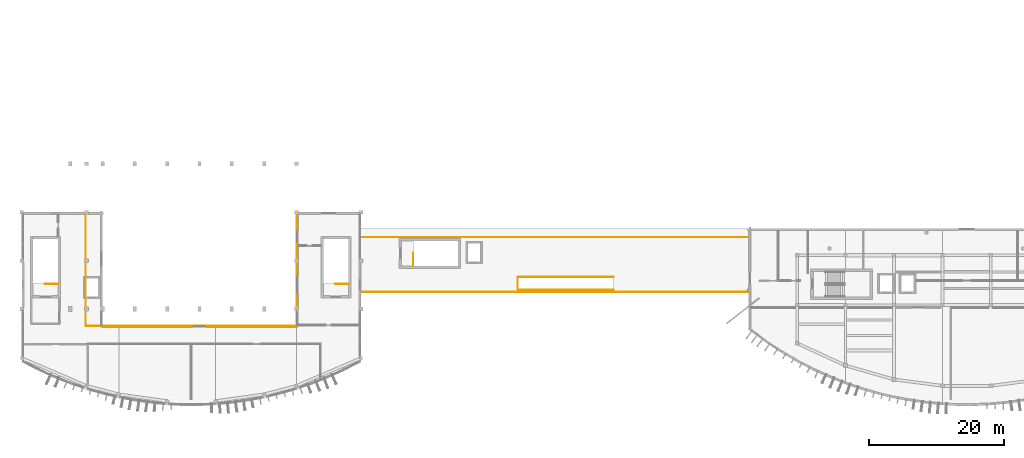
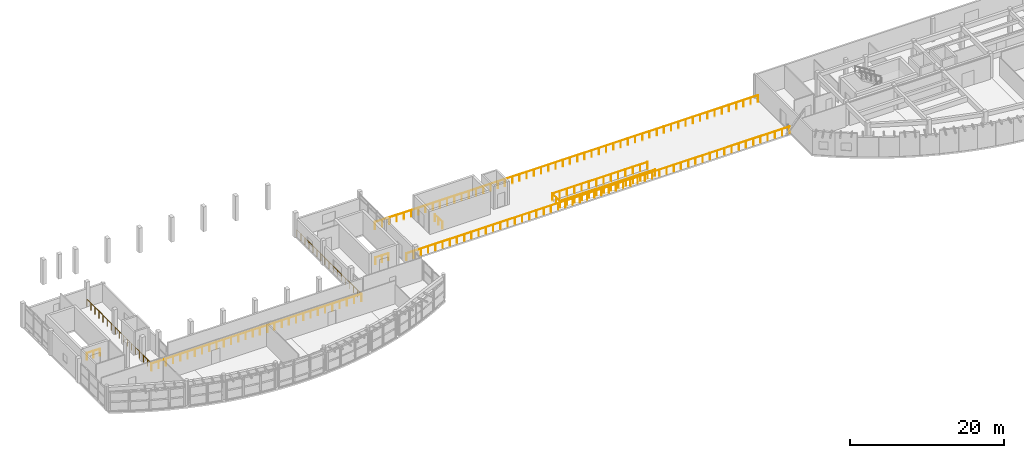
# One storey, part 29 of 32: 10 railings.
"""IFC4 building model written with IfcOpenShell, lengths in metres."""

from ifc_helpers import new_model, si_unit, direction, frame, origin, origin_2d, place, context, subcontext, project, spatial, circle, extrude, material, type_object, element, save


model = new_model("IFC4")

# Units and contexts
model_context = context("Model", 3, precision=1e-05, world=origin(), true_north=direction((0.0, 1.0)))
body_context = subcontext(model_context, "Body", "Model", "MODEL_VIEW")
ifc_project = project(units=[si_unit("LENGTHUNIT", "METRE"), si_unit("AREAUNIT", "SQUARE_METRE"), si_unit("VOLUMEUNIT", "CUBIC_METRE"), si_unit("PLANEANGLEUNIT", "RADIAN"), si_unit("MASSUNIT", "GRAM", prefix="KILO")], contexts=[model_context])

# Site, building, storey
site_placement = place(None, origin())
site = spatial("IfcSite", under=ifc_project, at=site_placement, CompositionType="ELEMENT")
building_placement = place(site_placement, origin())
building = spatial("IfcBuilding", under=site, at=building_placement, Name="Brisavento Harbour Community Centre", CompositionType="ELEMENT")
storey_placement = place(building_placement, frame((0.0, 0.0, 12.89990234375)))
storey = spatial("IfcBuildingStorey", under=building, at=storey_placement, Name="L03", CompositionType="ELEMENT", Elevation=12.89990234375)

# Railings
ifc_material = material(Name="Stainless steel 1.4401", Category="steel")
railing_type_1 = type_object("IfcRailingType", Name="RL-ATR-BAL", PredefinedType="BALUSTRADE", material=ifc_material)
railing_1_placement = place(storey_placement, frame((9.5, 11.89990234375, 0.0)))
element("IfcRailing", 1, at=railing_1_placement, inside=storey, type_object=railing_type_1, Name="L03 atrium and gallery balustrade BAL-V1-UP-S", PredefinedType="BALUSTRADE", context=body_context, shape_type="SweptSolid", body=[
    extrude(circle(Radius=0.02392578125, at=origin_2d()), frame((0.0, 0.0, 1.09619140625), z_axis=(1.0, 0.0, 0.0), x_axis=(0.0, 1.0, 0.0)), (0.0, 0.0, 1.0), 31.39990234375),
    extrude(circle(Radius=0.02099609375, at=origin_2d()), origin(), (0.0, 0.0, 1.0), 1.072021484375),
    extrude(circle(Radius=0.02099609375, at=origin_2d()), frame((1.082763671875, 0.0, 0.0)), (0.0, 0.0, 1.0), 1.072021484375),
    extrude(circle(Radius=0.02099609375, at=origin_2d()), frame((2.16552734375, 0.0, 0.0)), (0.0, 0.0, 1.0), 1.072021484375),
    extrude(circle(Radius=0.02099609375, at=origin_2d()), frame((3.248291015625, 0.0, 0.0)), (0.0, 0.0, 1.0), 1.072021484375),
    extrude(circle(Radius=0.02099609375, at=origin_2d()), frame((4.3310546875, 0.0, 0.0)), (0.0, 0.0, 1.0), 1.072021484375),
    extrude(circle(Radius=0.02099609375, at=origin_2d()), frame((5.413818359375, 0.0, 0.0)), (0.0, 0.0, 1.0), 1.072021484375),
    extrude(circle(Radius=0.02099609375, at=origin_2d()), frame((6.49658203125, 0.0, 0.0)), (0.0, 0.0, 1.0), 1.072021484375),
    extrude(circle(Radius=0.02099609375, at=origin_2d()), frame((7.579345703125, 0.0, 0.0)), (0.0, 0.0, 1.0), 1.072021484375),
    extrude(circle(Radius=0.02099609375, at=origin_2d()), frame((8.662109375, 0.0, 0.0)), (0.0, 0.0, 1.0), 1.072021484375),
    extrude(circle(Radius=0.02099609375, at=origin_2d()), frame((9.744873046875, 0.0, 0.0)), (0.0, 0.0, 1.0), 1.072021484375),
    extrude(circle(Radius=0.02099609375, at=origin_2d()), frame((10.82763671875, 0.0, 0.0)), (0.0, 0.0, 1.0), 1.072021484375),
    extrude(circle(Radius=0.02099609375, at=origin_2d()), frame((11.910400390625, 0.0, 0.0)), (0.0, 0.0, 1.0), 1.072021484375),
    extrude(circle(Radius=0.02099609375, at=origin_2d()), frame((12.9931640625, 0.0, 0.0)), (0.0, 0.0, 1.0), 1.072021484375),
    extrude(circle(Radius=0.02099609375, at=origin_2d()), frame((14.075927734375, 0.0, 0.0)), (0.0, 0.0, 1.0), 1.072021484375),
    extrude(circle(Radius=0.02099609375, at=origin_2d()), frame((15.15869140625, 0.0, 0.0)), (0.0, 0.0, 1.0), 1.072021484375),
    extrude(circle(Radius=0.02099609375, at=origin_2d()), frame((16.2412109375, 0.0, 0.0)), (0.0, 0.0, 1.0), 1.072021484375),
    extrude(circle(Radius=0.02099609375, at=origin_2d()), frame((17.323974609375, 0.0, 0.0)), (0.0, 0.0, 1.0), 1.072021484375),
    extrude(circle(Radius=0.02099609375, at=origin_2d()), frame((18.40673828125, 0.0, 0.0)), (0.0, 0.0, 1.0), 1.072021484375),
    extrude(circle(Radius=0.02099609375, at=origin_2d()), frame((19.489501953125, 0.0, 0.0)), (0.0, 0.0, 1.0), 1.072021484375),
    extrude(circle(Radius=0.02099609375, at=origin_2d()), frame((20.572265625, 0.0, 0.0)), (0.0, 0.0, 1.0), 1.072021484375),
    extrude(circle(Radius=0.02099609375, at=origin_2d()), frame((21.655029296875, 0.0, 0.0)), (0.0, 0.0, 1.0), 1.072021484375),
    extrude(circle(Radius=0.02099609375, at=origin_2d()), frame((22.73779296875, 0.0, 0.0)), (0.0, 0.0, 1.0), 1.072021484375),
    extrude(circle(Radius=0.02099609375, at=origin_2d()), frame((23.820556640625, 0.0, 0.0)), (0.0, 0.0, 1.0), 1.072021484375),
    extrude(circle(Radius=0.02099609375, at=origin_2d()), frame((24.9033203125, 0.0, 0.0)), (0.0, 0.0, 1.0), 1.072021484375),
    extrude(circle(Radius=0.02099609375, at=origin_2d()), frame((25.986083984375, 0.0, 0.0)), (0.0, 0.0, 1.0), 1.072021484375),
    extrude(circle(Radius=0.02099609375, at=origin_2d()), frame((27.06884765625, 0.0, 0.0)), (0.0, 0.0, 1.0), 1.072021484375),
    extrude(circle(Radius=0.02099609375, at=origin_2d()), frame((28.151611328125, 0.0, 0.0)), (0.0, 0.0, 1.0), 1.072021484375),
    extrude(circle(Radius=0.02099609375, at=origin_2d()), frame((29.234375, 0.0, 0.0)), (0.0, 0.0, 1.0), 1.072021484375),
    extrude(circle(Radius=0.02099609375, at=origin_2d()), frame((30.317138671875, 0.0, 0.0)), (0.0, 0.0, 1.0), 1.072021484375),
    extrude(circle(Radius=0.02099609375, at=origin_2d()), frame((31.39990234375, 0.0, 0.0)), (0.0, 0.0, 1.0), 1.072021484375),
])
railing_2_placement = place(storey_placement, frame((9.5, 11.89990234375, 0.0)))
element("IfcRailing", 2, at=railing_2_placement, inside=storey, type_object=railing_type_1, Name="L03 atrium and gallery balustrade BAL-V1-UP-W", PredefinedType="BALUSTRADE", context=body_context, shape_type="SweptSolid", body=[
    extrude(circle(Radius=0.02392578125, at=origin_2d()), frame((0.0, 0.0, 1.09619140625), z_axis=(0.0, 1.0, 0.0), x_axis=(-1.0, 0.0, 0.0)), (0.0, 0.0, 1.0), 16.75),
    extrude(circle(Radius=0.02099609375, at=origin_2d()), origin(), (0.0, 0.0, 1.0), 1.072021484375),
    extrude(circle(Radius=0.02099609375, at=origin_2d()), frame((0.0, 1.046875, 0.0)), (0.0, 0.0, 1.0), 1.072021484375),
    extrude(circle(Radius=0.02099609375, at=origin_2d()), frame((0.0, 2.09375, 0.0)), (0.0, 0.0, 1.0), 1.072021484375),
    extrude(circle(Radius=0.02099609375, at=origin_2d()), frame((0.0, 3.140625, 0.0)), (0.0, 0.0, 1.0), 1.072021484375),
    extrude(circle(Radius=0.02099609375, at=origin_2d()), frame((0.0, 4.1875, 0.0)), (0.0, 0.0, 1.0), 1.072021484375),
    extrude(circle(Radius=0.02099609375, at=origin_2d()), frame((0.0, 5.234375, 0.0)), (0.0, 0.0, 1.0), 1.072021484375),
    extrude(circle(Radius=0.02099609375, at=origin_2d()), frame((0.0, 6.28125, 0.0)), (0.0, 0.0, 1.0), 1.072021484375),
    extrude(circle(Radius=0.02099609375, at=origin_2d()), frame((0.0, 7.328125, 0.0)), (0.0, 0.0, 1.0), 1.072021484375),
    extrude(circle(Radius=0.02099609375, at=origin_2d()), frame((0.0, 8.375, 0.0)), (0.0, 0.0, 1.0), 1.072021484375),
    extrude(circle(Radius=0.02099609375, at=origin_2d()), frame((0.0, 9.421875, 0.0)), (0.0, 0.0, 1.0), 1.072021484375),
    extrude(circle(Radius=0.02099609375, at=origin_2d()), frame((0.0, 10.46875, 0.0)), (0.0, 0.0, 1.0), 1.072021484375),
    extrude(circle(Radius=0.02099609375, at=origin_2d()), frame((0.0, 11.515625, 0.0)), (0.0, 0.0, 1.0), 1.072021484375),
    extrude(circle(Radius=0.02099609375, at=origin_2d()), frame((0.0, 12.5625, 0.0)), (0.0, 0.0, 1.0), 1.072021484375),
    extrude(circle(Radius=0.02099609375, at=origin_2d()), frame((0.0, 13.609375, 0.0)), (0.0, 0.0, 1.0), 1.072021484375),
    extrude(circle(Radius=0.02099609375, at=origin_2d()), frame((0.0, 14.65625, 0.0)), (0.0, 0.0, 1.0), 1.072021484375),
    extrude(circle(Radius=0.02099609375, at=origin_2d()), frame((0.0, 15.703125, 0.0)), (0.0, 0.0, 1.0), 1.072021484375),
    extrude(circle(Radius=0.02099609375, at=origin_2d()), frame((0.0, 16.75, 0.0)), (0.0, 0.0, 1.0), 1.072021484375),
])
railing_3_placement = place(storey_placement, frame((40.89990234375, 11.89990234375, 0.0)))
element("IfcRailing", 3, at=railing_3_placement, inside=storey, type_object=railing_type_1, Name="L03 atrium and gallery balustrade BAL-V1-UP-E", PredefinedType="BALUSTRADE", context=body_context, shape_type="SweptSolid", body=[
    extrude(circle(Radius=0.02392578125, at=origin_2d()), frame((0.0, 0.0, 1.09619140625), z_axis=(0.0, 1.0, 0.0), x_axis=(-1.0, 0.0, 0.0)), (0.0, 0.0, 1.0), 16.75),
    extrude(circle(Radius=0.02099609375, at=origin_2d()), origin(), (0.0, 0.0, 1.0), 1.072021484375),
    extrude(circle(Radius=0.02099609375, at=origin_2d()), frame((0.0, 1.046875, 0.0)), (0.0, 0.0, 1.0), 1.072021484375),
    extrude(circle(Radius=0.02099609375, at=origin_2d()), frame((0.0, 2.09375, 0.0)), (0.0, 0.0, 1.0), 1.072021484375),
    extrude(circle(Radius=0.02099609375, at=origin_2d()), frame((0.0, 3.140625, 0.0)), (0.0, 0.0, 1.0), 1.072021484375),
    extrude(circle(Radius=0.02099609375, at=origin_2d()), frame((0.0, 4.1875, 0.0)), (0.0, 0.0, 1.0), 1.072021484375),
    extrude(circle(Radius=0.02099609375, at=origin_2d()), frame((0.0, 5.234375, 0.0)), (0.0, 0.0, 1.0), 1.072021484375),
    extrude(circle(Radius=0.02099609375, at=origin_2d()), frame((0.0, 6.28125, 0.0)), (0.0, 0.0, 1.0), 1.072021484375),
    extrude(circle(Radius=0.02099609375, at=origin_2d()), frame((0.0, 7.328125, 0.0)), (0.0, 0.0, 1.0), 1.072021484375),
    extrude(circle(Radius=0.02099609375, at=origin_2d()), frame((0.0, 8.375, 0.0)), (0.0, 0.0, 1.0), 1.072021484375),
    extrude(circle(Radius=0.02099609375, at=origin_2d()), frame((0.0, 9.421875, 0.0)), (0.0, 0.0, 1.0), 1.072021484375),
    extrude(circle(Radius=0.02099609375, at=origin_2d()), frame((0.0, 10.46875, 0.0)), (0.0, 0.0, 1.0), 1.072021484375),
    extrude(circle(Radius=0.02099609375, at=origin_2d()), frame((0.0, 11.515625, 0.0)), (0.0, 0.0, 1.0), 1.072021484375),
    extrude(circle(Radius=0.02099609375, at=origin_2d()), frame((0.0, 12.5625, 0.0)), (0.0, 0.0, 1.0), 1.072021484375),
    extrude(circle(Radius=0.02099609375, at=origin_2d()), frame((0.0, 13.609375, 0.0)), (0.0, 0.0, 1.0), 1.072021484375),
    extrude(circle(Radius=0.02099609375, at=origin_2d()), frame((0.0, 14.65625, 0.0)), (0.0, 0.0, 1.0), 1.072021484375),
    extrude(circle(Radius=0.02099609375, at=origin_2d()), frame((0.0, 15.703125, 0.0)), (0.0, 0.0, 1.0), 1.072021484375),
    extrude(circle(Radius=0.02099609375, at=origin_2d()), frame((0.0, 16.75, 0.0)), (0.0, 0.0, 1.0), 1.072021484375),
])
railing_type_2 = type_object("IfcRailingType", Name="RL-ST-GUARD", PredefinedType="GUARDRAIL", material=ifc_material)
for number, where, name in (
    (4, (5.39990234375, 18.14990234375, 0.0), "L03 ST-01 top well guard 1"),
    (5, (48.550048828125, 18.14990234375, 0.0), "L03 ST-02 top well guard 1"),
):
    element("IfcRailing", number, at=place(storey_placement, frame(where)), inside=storey, type_object=railing_type_2, Name=name, PredefinedType="GUARDRAIL", context=body_context, shape_type="SweptSolid", body=[
        extrude(circle(Radius=0.02392578125, at=origin_2d()), frame((0.0, 0.0, 1.076171875), z_axis=(-1.0, 0.0, 0.0), x_axis=(0.0, -1.0, 0.0)), (0.0, 0.0, 1.0), 1.949951171875),
        extrude(circle(Radius=0.02099609375, at=origin_2d()), origin(), (0.0, 0.0, 1.0), 1.052001953125),
        extrude(circle(Radius=0.02099609375, at=origin_2d()), frame((-0.97509765625, 0.0, 0.0)), (0.0, 0.0, 1.0), 1.052001953125),
        extrude(circle(Radius=0.02099609375, at=origin_2d()), frame((-1.949951171875, 0.0, 0.0)), (0.0, 0.0, 1.0), 1.052001953125),
    ])
railing_4_placement = place(storey_placement, frame((58.14990234375, 20.800048828125, 0.0)))
element("IfcRailing", 6, at=railing_4_placement, inside=storey, type_object=railing_type_2, Name="L03 ST-03 top well guard 1", PredefinedType="GUARDRAIL", context=body_context, shape_type="SweptSolid", body=[
    extrude(circle(Radius=0.02392578125, at=origin_2d()), frame((0.0, 0.0, 1.076171875), z_axis=(0.0, 1.0, 0.0), x_axis=(-1.0, 0.0, 0.0)), (0.0, 0.0, 1.0), 1.949951171875),
    extrude(circle(Radius=0.02099609375, at=origin_2d()), origin(), (0.0, 0.0, 1.0), 1.052001953125),
    extrude(circle(Radius=0.02099609375, at=origin_2d()), frame((0.0, 0.97509765625, 0.0)), (0.0, 0.0, 1.0), 1.052001953125),
    extrude(circle(Radius=0.02099609375, at=origin_2d()), frame((0.0, 1.949951171875, 0.0)), (0.0, 0.0, 1.0), 1.052001953125),
])
railing_type_3 = type_object("IfcRailingType", Name="RL-TER-GUARD", PredefinedType="GUARDRAIL", material=ifc_material)
railing_5_placement = place(storey_placement, frame((50.550048828125, 16.919921875, 0.0)))
element("IfcRailing", 7, at=railing_5_placement, inside=storey, type_object=railing_type_3, Name="L03 Public Roof Terrace south guard", PredefinedType="GUARDRAIL", context=body_context, shape_type="SweptSolid", body=[
    extrude(circle(Radius=0.02392578125, at=origin_2d()), frame((0.0, 0.0, 1.09619140625), z_axis=(1.0, 0.0, 0.0), x_axis=(0.0, 1.0, 0.0)), (0.0, 0.0, 1.0), 57.300048828125),
    extrude(circle(Radius=0.02099609375, at=origin_2d()), origin(), (0.0, 0.0, 1.0), 1.072021484375),
    extrude(circle(Radius=0.02099609375, at=origin_2d()), frame((1.0810546875, 0.0, 0.0)), (0.0, 0.0, 1.0), 1.072021484375),
    extrude(circle(Radius=0.02099609375, at=origin_2d()), frame((2.162353515625, 0.0, 0.0)), (0.0, 0.0, 1.0), 1.072021484375),
    extrude(circle(Radius=0.02099609375, at=origin_2d()), frame((3.243408203125, 0.0, 0.0)), (0.0, 0.0, 1.0), 1.072021484375),
    extrude(circle(Radius=0.02099609375, at=origin_2d()), frame((4.324462890625, 0.0, 0.0)), (0.0, 0.0, 1.0), 1.072021484375),
    extrude(circle(Radius=0.02099609375, at=origin_2d()), frame((5.40576171875, 0.0, 0.0)), (0.0, 0.0, 1.0), 1.072021484375),
    extrude(circle(Radius=0.02099609375, at=origin_2d()), frame((6.48681640625, 0.0, 0.0)), (0.0, 0.0, 1.0), 1.072021484375),
    extrude(circle(Radius=0.02099609375, at=origin_2d()), frame((7.56787109375, 0.0, 0.0)), (0.0, 0.0, 1.0), 1.072021484375),
    extrude(circle(Radius=0.02099609375, at=origin_2d()), frame((8.649169921875, 0.0, 0.0)), (0.0, 0.0, 1.0), 1.072021484375),
    extrude(circle(Radius=0.02099609375, at=origin_2d()), frame((9.730224609375, 0.0, 0.0)), (0.0, 0.0, 1.0), 1.072021484375),
    extrude(circle(Radius=0.02099609375, at=origin_2d()), frame((10.811279296875, 0.0, 0.0)), (0.0, 0.0, 1.0), 1.072021484375),
    extrude(circle(Radius=0.02099609375, at=origin_2d()), frame((11.892578125, 0.0, 0.0)), (0.0, 0.0, 1.0), 1.072021484375),
    extrude(circle(Radius=0.02099609375, at=origin_2d()), frame((12.9736328125, 0.0, 0.0)), (0.0, 0.0, 1.0), 1.072021484375),
    extrude(circle(Radius=0.02099609375, at=origin_2d()), frame((14.0546875, 0.0, 0.0)), (0.0, 0.0, 1.0), 1.072021484375),
    extrude(circle(Radius=0.02099609375, at=origin_2d()), frame((15.1357421875, 0.0, 0.0)), (0.0, 0.0, 1.0), 1.072021484375),
    extrude(circle(Radius=0.02099609375, at=origin_2d()), frame((16.217041015625, 0.0, 0.0)), (0.0, 0.0, 1.0), 1.072021484375),
    extrude(circle(Radius=0.02099609375, at=origin_2d()), frame((17.298095703125, 0.0, 0.0)), (0.0, 0.0, 1.0), 1.072021484375),
    extrude(circle(Radius=0.02099609375, at=origin_2d()), frame((18.379150390625, 0.0, 0.0)), (0.0, 0.0, 1.0), 1.072021484375),
    extrude(circle(Radius=0.02099609375, at=origin_2d()), frame((19.46044921875, 0.0, 0.0)), (0.0, 0.0, 1.0), 1.072021484375),
    extrude(circle(Radius=0.02099609375, at=origin_2d()), frame((20.54150390625, 0.0, 0.0)), (0.0, 0.0, 1.0), 1.072021484375),
    extrude(circle(Radius=0.02099609375, at=origin_2d()), frame((21.62255859375, 0.0, 0.0)), (0.0, 0.0, 1.0), 1.072021484375),
    extrude(circle(Radius=0.02099609375, at=origin_2d()), frame((22.703857421875, 0.0, 0.0)), (0.0, 0.0, 1.0), 1.072021484375),
    extrude(circle(Radius=0.02099609375, at=origin_2d()), frame((23.784912109375, 0.0, 0.0)), (0.0, 0.0, 1.0), 1.072021484375),
    extrude(circle(Radius=0.02099609375, at=origin_2d()), frame((24.865966796875, 0.0, 0.0)), (0.0, 0.0, 1.0), 1.072021484375),
    extrude(circle(Radius=0.02099609375, at=origin_2d()), frame((25.947265625, 0.0, 0.0)), (0.0, 0.0, 1.0), 1.072021484375),
    extrude(circle(Radius=0.02099609375, at=origin_2d()), frame((27.0283203125, 0.0, 0.0)), (0.0, 0.0, 1.0), 1.072021484375),
    extrude(circle(Radius=0.02099609375, at=origin_2d()), frame((28.109375, 0.0, 0.0)), (0.0, 0.0, 1.0), 1.072021484375),
    extrude(circle(Radius=0.02099609375, at=origin_2d()), frame((29.190673828125, 0.0, 0.0)), (0.0, 0.0, 1.0), 1.072021484375),
    extrude(circle(Radius=0.02099609375, at=origin_2d()), frame((30.271728515625, 0.0, 0.0)), (0.0, 0.0, 1.0), 1.072021484375),
    extrude(circle(Radius=0.02099609375, at=origin_2d()), frame((31.352783203125, 0.0, 0.0)), (0.0, 0.0, 1.0), 1.072021484375),
    extrude(circle(Radius=0.02099609375, at=origin_2d()), frame((32.43408203125, 0.0, 0.0)), (0.0, 0.0, 1.0), 1.072021484375),
    extrude(circle(Radius=0.02099609375, at=origin_2d()), frame((33.51513671875, 0.0, 0.0)), (0.0, 0.0, 1.0), 1.072021484375),
    extrude(circle(Radius=0.02099609375, at=origin_2d()), frame((34.59619140625, 0.0, 0.0)), (0.0, 0.0, 1.0), 1.072021484375),
    extrude(circle(Radius=0.02099609375, at=origin_2d()), frame((35.677490234375, 0.0, 0.0)), (0.0, 0.0, 1.0), 1.072021484375),
    extrude(circle(Radius=0.02099609375, at=origin_2d()), frame((36.758544921875, 0.0, 0.0)), (0.0, 0.0, 1.0), 1.072021484375),
    extrude(circle(Radius=0.02099609375, at=origin_2d()), frame((37.839599609375, 0.0, 0.0)), (0.0, 0.0, 1.0), 1.072021484375),
    extrude(circle(Radius=0.02099609375, at=origin_2d()), frame((38.9208984375, 0.0, 0.0)), (0.0, 0.0, 1.0), 1.072021484375),
    extrude(circle(Radius=0.02099609375, at=origin_2d()), frame((40.001953125, 0.0, 0.0)), (0.0, 0.0, 1.0), 1.072021484375),
    extrude(circle(Radius=0.02099609375, at=origin_2d()), frame((41.0830078125, 0.0, 0.0)), (0.0, 0.0, 1.0), 1.072021484375),
    extrude(circle(Radius=0.02099609375, at=origin_2d()), frame((42.164306640625, 0.0, 0.0)), (0.0, 0.0, 1.0), 1.072021484375),
    extrude(circle(Radius=0.02099609375, at=origin_2d()), frame((43.245361328125, 0.0, 0.0)), (0.0, 0.0, 1.0), 1.072021484375),
    extrude(circle(Radius=0.02099609375, at=origin_2d()), frame((44.326416015625, 0.0, 0.0)), (0.0, 0.0, 1.0), 1.072021484375),
    extrude(circle(Radius=0.02099609375, at=origin_2d()), frame((45.407470703125, 0.0, 0.0)), (0.0, 0.0, 1.0), 1.072021484375),
    extrude(circle(Radius=0.02099609375, at=origin_2d()), frame((46.48876953125, 0.0, 0.0)), (0.0, 0.0, 1.0), 1.072021484375),
    extrude(circle(Radius=0.02099609375, at=origin_2d()), frame((47.56982421875, 0.0, 0.0)), (0.0, 0.0, 1.0), 1.072021484375),
    extrude(circle(Radius=0.02099609375, at=origin_2d()), frame((48.65087890625, 0.0, 0.0)), (0.0, 0.0, 1.0), 1.072021484375),
    extrude(circle(Radius=0.02099609375, at=origin_2d()), frame((49.732177734375, 0.0, 0.0)), (0.0, 0.0, 1.0), 1.072021484375),
    extrude(circle(Radius=0.02099609375, at=origin_2d()), frame((50.813232421875, 0.0, 0.0)), (0.0, 0.0, 1.0), 1.072021484375),
    extrude(circle(Radius=0.02099609375, at=origin_2d()), frame((51.894287109375, 0.0, 0.0)), (0.0, 0.0, 1.0), 1.072021484375),
    extrude(circle(Radius=0.02099609375, at=origin_2d()), frame((52.9755859375, 0.0, 0.0)), (0.0, 0.0, 1.0), 1.072021484375),
    extrude(circle(Radius=0.02099609375, at=origin_2d()), frame((54.056640625, 0.0, 0.0)), (0.0, 0.0, 1.0), 1.072021484375),
    extrude(circle(Radius=0.02099609375, at=origin_2d()), frame((55.1376953125, 0.0, 0.0)), (0.0, 0.0, 1.0), 1.072021484375),
    extrude(circle(Radius=0.02099609375, at=origin_2d()), frame((56.218994140625, 0.0, 0.0)), (0.0, 0.0, 1.0), 1.072021484375),
    extrude(circle(Radius=0.02099609375, at=origin_2d()), frame((57.300048828125, 0.0, 0.0)), (0.0, 0.0, 1.0), 1.072021484375),
])
railing_6_placement = place(storey_placement, frame((50.550048828125, 25.080078125, 0.0)))
element("IfcRailing", 8, at=railing_6_placement, inside=storey, type_object=railing_type_3, Name="L03 Public Roof Terrace north guard", PredefinedType="GUARDRAIL", context=body_context, shape_type="SweptSolid", body=[
    extrude(circle(Radius=0.02392578125, at=origin_2d()), frame((0.0, 0.0, 1.09619140625), z_axis=(1.0, 0.0, 0.0), x_axis=(0.0, 1.0, 0.0)), (0.0, 0.0, 1.0), 57.300048828125),
    extrude(circle(Radius=0.02099609375, at=origin_2d()), origin(), (0.0, 0.0, 1.0), 1.072021484375),
    extrude(circle(Radius=0.02099609375, at=origin_2d()), frame((1.0810546875, 0.0, 0.0)), (0.0, 0.0, 1.0), 1.072021484375),
    extrude(circle(Radius=0.02099609375, at=origin_2d()), frame((2.162353515625, 0.0, 0.0)), (0.0, 0.0, 1.0), 1.072021484375),
    extrude(circle(Radius=0.02099609375, at=origin_2d()), frame((3.243408203125, 0.0, 0.0)), (0.0, 0.0, 1.0), 1.072021484375),
    extrude(circle(Radius=0.02099609375, at=origin_2d()), frame((4.324462890625, 0.0, 0.0)), (0.0, 0.0, 1.0), 1.072021484375),
    extrude(circle(Radius=0.02099609375, at=origin_2d()), frame((5.40576171875, 0.0, 0.0)), (0.0, 0.0, 1.0), 1.072021484375),
    extrude(circle(Radius=0.02099609375, at=origin_2d()), frame((6.48681640625, 0.0, 0.0)), (0.0, 0.0, 1.0), 1.072021484375),
    extrude(circle(Radius=0.02099609375, at=origin_2d()), frame((7.56787109375, 0.0, 0.0)), (0.0, 0.0, 1.0), 1.072021484375),
    extrude(circle(Radius=0.02099609375, at=origin_2d()), frame((8.649169921875, 0.0, 0.0)), (0.0, 0.0, 1.0), 1.072021484375),
    extrude(circle(Radius=0.02099609375, at=origin_2d()), frame((9.730224609375, 0.0, 0.0)), (0.0, 0.0, 1.0), 1.072021484375),
    extrude(circle(Radius=0.02099609375, at=origin_2d()), frame((10.811279296875, 0.0, 0.0)), (0.0, 0.0, 1.0), 1.072021484375),
    extrude(circle(Radius=0.02099609375, at=origin_2d()), frame((11.892578125, 0.0, 0.0)), (0.0, 0.0, 1.0), 1.072021484375),
    extrude(circle(Radius=0.02099609375, at=origin_2d()), frame((12.9736328125, 0.0, 0.0)), (0.0, 0.0, 1.0), 1.072021484375),
    extrude(circle(Radius=0.02099609375, at=origin_2d()), frame((14.0546875, 0.0, 0.0)), (0.0, 0.0, 1.0), 1.072021484375),
    extrude(circle(Radius=0.02099609375, at=origin_2d()), frame((15.1357421875, 0.0, 0.0)), (0.0, 0.0, 1.0), 1.072021484375),
    extrude(circle(Radius=0.02099609375, at=origin_2d()), frame((16.217041015625, 0.0, 0.0)), (0.0, 0.0, 1.0), 1.072021484375),
    extrude(circle(Radius=0.02099609375, at=origin_2d()), frame((17.298095703125, 0.0, 0.0)), (0.0, 0.0, 1.0), 1.072021484375),
    extrude(circle(Radius=0.02099609375, at=origin_2d()), frame((18.379150390625, 0.0, 0.0)), (0.0, 0.0, 1.0), 1.072021484375),
    extrude(circle(Radius=0.02099609375, at=origin_2d()), frame((19.46044921875, 0.0, 0.0)), (0.0, 0.0, 1.0), 1.072021484375),
    extrude(circle(Radius=0.02099609375, at=origin_2d()), frame((20.54150390625, 0.0, 0.0)), (0.0, 0.0, 1.0), 1.072021484375),
    extrude(circle(Radius=0.02099609375, at=origin_2d()), frame((21.62255859375, 0.0, 0.0)), (0.0, 0.0, 1.0), 1.072021484375),
    extrude(circle(Radius=0.02099609375, at=origin_2d()), frame((22.703857421875, 0.0, 0.0)), (0.0, 0.0, 1.0), 1.072021484375),
    extrude(circle(Radius=0.02099609375, at=origin_2d()), frame((23.784912109375, 0.0, 0.0)), (0.0, 0.0, 1.0), 1.072021484375),
    extrude(circle(Radius=0.02099609375, at=origin_2d()), frame((24.865966796875, 0.0, 0.0)), (0.0, 0.0, 1.0), 1.072021484375),
    extrude(circle(Radius=0.02099609375, at=origin_2d()), frame((25.947265625, 0.0, 0.0)), (0.0, 0.0, 1.0), 1.072021484375),
    extrude(circle(Radius=0.02099609375, at=origin_2d()), frame((27.0283203125, 0.0, 0.0)), (0.0, 0.0, 1.0), 1.072021484375),
    extrude(circle(Radius=0.02099609375, at=origin_2d()), frame((28.109375, 0.0, 0.0)), (0.0, 0.0, 1.0), 1.072021484375),
    extrude(circle(Radius=0.02099609375, at=origin_2d()), frame((29.190673828125, 0.0, 0.0)), (0.0, 0.0, 1.0), 1.072021484375),
    extrude(circle(Radius=0.02099609375, at=origin_2d()), frame((30.271728515625, 0.0, 0.0)), (0.0, 0.0, 1.0), 1.072021484375),
    extrude(circle(Radius=0.02099609375, at=origin_2d()), frame((31.352783203125, 0.0, 0.0)), (0.0, 0.0, 1.0), 1.072021484375),
    extrude(circle(Radius=0.02099609375, at=origin_2d()), frame((32.43408203125, 0.0, 0.0)), (0.0, 0.0, 1.0), 1.072021484375),
    extrude(circle(Radius=0.02099609375, at=origin_2d()), frame((33.51513671875, 0.0, 0.0)), (0.0, 0.0, 1.0), 1.072021484375),
    extrude(circle(Radius=0.02099609375, at=origin_2d()), frame((34.59619140625, 0.0, 0.0)), (0.0, 0.0, 1.0), 1.072021484375),
    extrude(circle(Radius=0.02099609375, at=origin_2d()), frame((35.677490234375, 0.0, 0.0)), (0.0, 0.0, 1.0), 1.072021484375),
    extrude(circle(Radius=0.02099609375, at=origin_2d()), frame((36.758544921875, 0.0, 0.0)), (0.0, 0.0, 1.0), 1.072021484375),
    extrude(circle(Radius=0.02099609375, at=origin_2d()), frame((37.839599609375, 0.0, 0.0)), (0.0, 0.0, 1.0), 1.072021484375),
    extrude(circle(Radius=0.02099609375, at=origin_2d()), frame((38.9208984375, 0.0, 0.0)), (0.0, 0.0, 1.0), 1.072021484375),
    extrude(circle(Radius=0.02099609375, at=origin_2d()), frame((40.001953125, 0.0, 0.0)), (0.0, 0.0, 1.0), 1.072021484375),
    extrude(circle(Radius=0.02099609375, at=origin_2d()), frame((41.0830078125, 0.0, 0.0)), (0.0, 0.0, 1.0), 1.072021484375),
    extrude(circle(Radius=0.02099609375, at=origin_2d()), frame((42.164306640625, 0.0, 0.0)), (0.0, 0.0, 1.0), 1.072021484375),
    extrude(circle(Radius=0.02099609375, at=origin_2d()), frame((43.245361328125, 0.0, 0.0)), (0.0, 0.0, 1.0), 1.072021484375),
    extrude(circle(Radius=0.02099609375, at=origin_2d()), frame((44.326416015625, 0.0, 0.0)), (0.0, 0.0, 1.0), 1.072021484375),
    extrude(circle(Radius=0.02099609375, at=origin_2d()), frame((45.407470703125, 0.0, 0.0)), (0.0, 0.0, 1.0), 1.072021484375),
    extrude(circle(Radius=0.02099609375, at=origin_2d()), frame((46.48876953125, 0.0, 0.0)), (0.0, 0.0, 1.0), 1.072021484375),
    extrude(circle(Radius=0.02099609375, at=origin_2d()), frame((47.56982421875, 0.0, 0.0)), (0.0, 0.0, 1.0), 1.072021484375),
    extrude(circle(Radius=0.02099609375, at=origin_2d()), frame((48.65087890625, 0.0, 0.0)), (0.0, 0.0, 1.0), 1.072021484375),
    extrude(circle(Radius=0.02099609375, at=origin_2d()), frame((49.732177734375, 0.0, 0.0)), (0.0, 0.0, 1.0), 1.072021484375),
    extrude(circle(Radius=0.02099609375, at=origin_2d()), frame((50.813232421875, 0.0, 0.0)), (0.0, 0.0, 1.0), 1.072021484375),
    extrude(circle(Radius=0.02099609375, at=origin_2d()), frame((51.894287109375, 0.0, 0.0)), (0.0, 0.0, 1.0), 1.072021484375),
    extrude(circle(Radius=0.02099609375, at=origin_2d()), frame((52.9755859375, 0.0, 0.0)), (0.0, 0.0, 1.0), 1.072021484375),
    extrude(circle(Radius=0.02099609375, at=origin_2d()), frame((54.056640625, 0.0, 0.0)), (0.0, 0.0, 1.0), 1.072021484375),
    extrude(circle(Radius=0.02099609375, at=origin_2d()), frame((55.1376953125, 0.0, 0.0)), (0.0, 0.0, 1.0), 1.072021484375),
    extrude(circle(Radius=0.02099609375, at=origin_2d()), frame((56.218994140625, 0.0, 0.0)), (0.0, 0.0, 1.0), 1.072021484375),
    extrude(circle(Radius=0.02099609375, at=origin_2d()), frame((57.300048828125, 0.0, 0.0)), (0.0, 0.0, 1.0), 1.072021484375),
])
railing_7_placement = place(storey_placement, frame((73.679931640625, 19.179931640625, 0.0)))
element("IfcRailing", 9, at=railing_7_placement, inside=storey, type_object=railing_type_3, Name="L03 Public Roof Terrace MST-08 stairwell south-west guard", PredefinedType="GUARDRAIL", context=body_context, shape_type="SweptSolid", body=[
    extrude(circle(Radius=0.02392578125, at=origin_2d()), frame((0.0, 0.0, 1.09619140625), z_axis=(0.0, -1.0, 0.0), x_axis=(1.0, 0.0, 0.0)), (0.0, 0.0, 1.0), 1.9599609375),
    extrude(circle(Radius=0.02392578125, at=origin_2d()), frame((0.0, -1.9599609375, 1.09619140625), z_axis=(1.0, 0.0, 0.0), x_axis=(0.0, 1.0, 0.0)), (0.0, 0.0, 1.0), 14.239990234375),
    extrude(circle(Radius=0.02099609375, at=origin_2d()), origin(), (0.0, 0.0, 1.0), 1.072021484375),
    extrude(circle(Radius=0.02099609375, at=origin_2d()), frame((0.0, -0.97998046875, 0.0)), (0.0, 0.0, 1.0), 1.072021484375),
    extrude(circle(Radius=0.02099609375, at=origin_2d()), frame((0.0, -1.9599609375, 0.0)), (0.0, 0.0, 1.0), 1.072021484375),
    extrude(circle(Radius=0.02099609375, at=origin_2d()), frame((1.095458984375, -1.9599609375, 0.0)), (0.0, 0.0, 1.0), 1.072021484375),
    extrude(circle(Radius=0.02099609375, at=origin_2d()), frame((2.190673828125, -1.9599609375, 0.0)), (0.0, 0.0, 1.0), 1.072021484375),
    extrude(circle(Radius=0.02099609375, at=origin_2d()), frame((3.2861328125, -1.9599609375, 0.0)), (0.0, 0.0, 1.0), 1.072021484375),
    extrude(circle(Radius=0.02099609375, at=origin_2d()), frame((4.381591796875, -1.9599609375, 0.0)), (0.0, 0.0, 1.0), 1.072021484375),
    extrude(circle(Radius=0.02099609375, at=origin_2d()), frame((5.476806640625, -1.9599609375, 0.0)), (0.0, 0.0, 1.0), 1.072021484375),
    extrude(circle(Radius=0.02099609375, at=origin_2d()), frame((6.572265625, -1.9599609375, 0.0)), (0.0, 0.0, 1.0), 1.072021484375),
    extrude(circle(Radius=0.02099609375, at=origin_2d()), frame((7.667724609375, -1.9599609375, 0.0)), (0.0, 0.0, 1.0), 1.072021484375),
    extrude(circle(Radius=0.02099609375, at=origin_2d()), frame((8.76318359375, -1.9599609375, 0.0)), (0.0, 0.0, 1.0), 1.072021484375),
    extrude(circle(Radius=0.02099609375, at=origin_2d()), frame((9.8583984375, -1.9599609375, 0.0)), (0.0, 0.0, 1.0), 1.072021484375),
    extrude(circle(Radius=0.02099609375, at=origin_2d()), frame((10.953857421875, -1.9599609375, 0.0)), (0.0, 0.0, 1.0), 1.072021484375),
    extrude(circle(Radius=0.02099609375, at=origin_2d()), frame((12.04931640625, -1.9599609375, 0.0)), (0.0, 0.0, 1.0), 1.072021484375),
    extrude(circle(Radius=0.02099609375, at=origin_2d()), frame((13.14453125, -1.9599609375, 0.0)), (0.0, 0.0, 1.0), 1.072021484375),
    extrude(circle(Radius=0.02099609375, at=origin_2d()), frame((14.239990234375, -1.9599609375, 0.0)), (0.0, 0.0, 1.0), 1.072021484375),
])
railing_8_placement = place(storey_placement, frame((87.919921875, 19.179931640625, 0.0)))
element("IfcRailing", 10, at=railing_8_placement, inside=storey, type_object=railing_type_3, Name="L03 Public Roof Terrace MST-08 stairwell north guard", PredefinedType="GUARDRAIL", context=body_context, shape_type="SweptSolid", body=[
    extrude(circle(Radius=0.02392578125, at=origin_2d()), frame((0.0, 0.0, 1.09619140625), z_axis=(-1.0, 0.0, 0.0), x_axis=(0.0, -1.0, 0.0)), (0.0, 0.0, 1.0), 14.239990234375),
    extrude(circle(Radius=0.02099609375, at=origin_2d()), origin(), (0.0, 0.0, 1.0), 1.072021484375),
    extrude(circle(Radius=0.02099609375, at=origin_2d()), frame((-1.095458984375, 0.0, 0.0)), (0.0, 0.0, 1.0), 1.072021484375),
    extrude(circle(Radius=0.02099609375, at=origin_2d()), frame((-2.190673828125, 0.0, 0.0)), (0.0, 0.0, 1.0), 1.072021484375),
    extrude(circle(Radius=0.02099609375, at=origin_2d()), frame((-3.2861328125, 0.0, 0.0)), (0.0, 0.0, 1.0), 1.072021484375),
    extrude(circle(Radius=0.02099609375, at=origin_2d()), frame((-4.381591796875, 0.0, 0.0)), (0.0, 0.0, 1.0), 1.072021484375),
    extrude(circle(Radius=0.02099609375, at=origin_2d()), frame((-5.476806640625, 0.0, 0.0)), (0.0, 0.0, 1.0), 1.072021484375),
    extrude(circle(Radius=0.02099609375, at=origin_2d()), frame((-6.572265625, 0.0, 0.0)), (0.0, 0.0, 1.0), 1.072021484375),
    extrude(circle(Radius=0.02099609375, at=origin_2d()), frame((-7.667724609375, 0.0, 0.0)), (0.0, 0.0, 1.0), 1.072021484375),
    extrude(circle(Radius=0.02099609375, at=origin_2d()), frame((-8.76318359375, 0.0, 0.0)), (0.0, 0.0, 1.0), 1.072021484375),
    extrude(circle(Radius=0.02099609375, at=origin_2d()), frame((-9.8583984375, 0.0, 0.0)), (0.0, 0.0, 1.0), 1.072021484375),
    extrude(circle(Radius=0.02099609375, at=origin_2d()), frame((-10.953857421875, 0.0, 0.0)), (0.0, 0.0, 1.0), 1.072021484375),
    extrude(circle(Radius=0.02099609375, at=origin_2d()), frame((-12.04931640625, 0.0, 0.0)), (0.0, 0.0, 1.0), 1.072021484375),
    extrude(circle(Radius=0.02099609375, at=origin_2d()), frame((-13.14453125, 0.0, 0.0)), (0.0, 0.0, 1.0), 1.072021484375),
    extrude(circle(Radius=0.02099609375, at=origin_2d()), frame((-14.239990234375, 0.0, 0.0)), (0.0, 0.0, 1.0), 1.072021484375),
])

save(model, "model.ifc")
